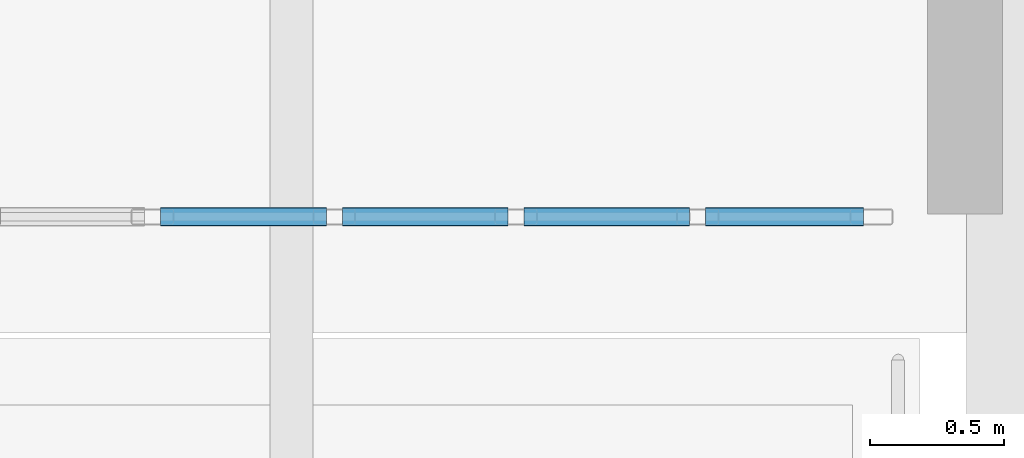
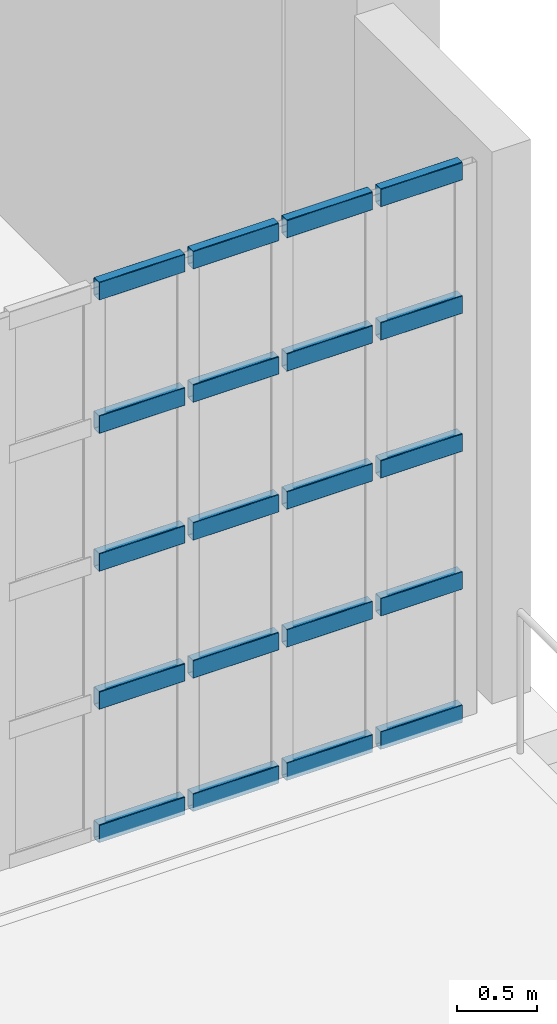
# One storey, part 33 of 56: 20 members, 1 element without a shape of its own.
"""IFC4 building model written with IfcOpenShell, lengths in metres."""

from ifc_helpers import new_model, si_unit, direction, frame, origin, origin_2d, place, context, subcontext, project, spatial, hollow_rectangle, extrude, material, material_profile, profile_set, type_object, element, aggregate, save


model = new_model("IFC4")

# Units and contexts
model_context = context("Model", 3, precision=1e-05, world=origin(), true_north=direction((0.0, 1.0)))
body_context = subcontext(model_context, "Body", "Model", "MODEL_VIEW")
ifc_project = project(units=[si_unit("LENGTHUNIT", "METRE"), si_unit("AREAUNIT", "SQUARE_METRE"), si_unit("VOLUMEUNIT", "CUBIC_METRE"), si_unit("PLANEANGLEUNIT", "RADIAN"), si_unit("MASSUNIT", "GRAM", prefix="KILO")], contexts=[model_context])

# Site, building, storey
site_placement = place(None, origin())
site = spatial("IfcSite", under=ifc_project, at=site_placement, CompositionType="ELEMENT")
building_placement = place(site_placement, origin())
building = spatial("IfcBuilding", under=site, at=building_placement, Name="Kaelora Sail Theatre", CompositionType="ELEMENT")
storey_placement = place(building_placement, frame((0.0, 0.0, 14.699951171875)))
storey = spatial("IfcBuildingStorey", under=building, at=storey_placement, Name="L03", CompositionType="ELEMENT", Elevation=14.699951171875)

# Curtain wall, members
ifc_material_1 = material(Name="Anodised aluminium and solar-control low-E IGU", Category="aluminium")
curtain_wall_type = type_object("IfcCurtainWallType", Name="ARC-CW-CW-NWG", PredefinedType="NOTDEFINED", material=ifc_material_1)
curtain_wall_placement = place(storey_placement, origin())
curtain_wall = element("IfcCurtainWall", 1, at=curtain_wall_placement, inside=storey, type_object=curtain_wall_type, Name="Glazed Foyer/Conservatory Curtain Wall NW4-S-L03-07", PredefinedType="NOTDEFINED")
ifc_material_2 = material(Name="Anodised aluminium 6063-T6", Category="aluminium")
ifc_material_profile = material_profile(ifc_material_2, hollow_rectangle(XDim=0.070068359375, YDim=0.139892578125, WallThickness=0.00390625, InnerFilletRadius=0.00390625, OuterFilletRadius=0.008056640625, at=origin_2d()), Name="ALU-TRAN 70x140x4")
ifc_profile_set = profile_set([ifc_material_profile], Name="Anodised aluminium 6063-T6")
member_type = type_object("IfcMemberType", Name="ARC-MEM-TR-140", PredefinedType="USERDEFINED", material=ifc_profile_set)
member_1_placement = place(storey_placement, frame((127.909912109375, 88.590087890625, 0.03515625), z_axis=(1.0, 0.0, 0.0), x_axis=(0.0, 1.0, 0.0)))
member_1 = element("IfcMember", 2, at=member_1_placement, type_object=member_type, Name="CW-NWG transom 2.1", ObjectType="TRANSOM", PredefinedType="USERDEFINED", context=body_context, shape_type="SweptSolid", body=[
    extrude(hollow_rectangle(XDim=0.070068359375, YDim=0.139892578125, WallThickness=0.00390625, InnerFilletRadius=0.00390625, OuterFilletRadius=0.008056640625, at=origin_2d()), origin(), (0.0, 0.0, 1.0), 0.6201171875),
])
member_2_placement = place(storey_placement, frame((127.909912109375, 88.590087890625, 1.05615234375), z_axis=(1.0, 0.0, 0.0), x_axis=(0.0, 1.0, 0.0)))
member_2 = element("IfcMember", 3, at=member_2_placement, type_object=member_type, Name="CW-NWG transom 2.2", ObjectType="TRANSOM", PredefinedType="USERDEFINED", context=body_context, shape_type="SweptSolid", body=[
    extrude(hollow_rectangle(XDim=0.070068359375, YDim=0.139892578125, WallThickness=0.00390625, InnerFilletRadius=0.00390625, OuterFilletRadius=0.008056640625, at=origin_2d()), origin(), (0.0, 0.0, 1.0), 0.6201171875),
])
member_3_placement = place(storey_placement, frame((127.909912109375, 88.590087890625, 2.112548828125), z_axis=(1.0, 0.0, 0.0), x_axis=(0.0, 1.0, 0.0)))
member_3 = element("IfcMember", 4, at=member_3_placement, type_object=member_type, Name="CW-NWG transom 2.3", ObjectType="TRANSOM", PredefinedType="USERDEFINED", context=body_context, shape_type="SweptSolid", body=[
    extrude(hollow_rectangle(XDim=0.070068359375, YDim=0.139892578125, WallThickness=0.00390625, InnerFilletRadius=0.00390625, OuterFilletRadius=0.008056640625, at=origin_2d()), origin(), (0.0, 0.0, 1.0), 0.6201171875),
])
member_4_placement = place(storey_placement, frame((127.909912109375, 88.590087890625, 3.168701171875), z_axis=(1.0, 0.0, 0.0), x_axis=(0.0, 1.0, 0.0)))
member_4 = element("IfcMember", 5, at=member_4_placement, type_object=member_type, Name="CW-NWG transom 2.4", ObjectType="TRANSOM", PredefinedType="USERDEFINED", context=body_context, shape_type="SweptSolid", body=[
    extrude(hollow_rectangle(XDim=0.070068359375, YDim=0.139892578125, WallThickness=0.00390625, InnerFilletRadius=0.00390625, OuterFilletRadius=0.008056640625, at=origin_2d()), origin(), (0.0, 0.0, 1.0), 0.6201171875),
])
member_5_placement = place(storey_placement, frame((127.909912109375, 88.590087890625, 4.18994140625), z_axis=(1.0, 0.0, 0.0), x_axis=(0.0, 1.0, 0.0)))
member_5 = element("IfcMember", 6, at=member_5_placement, type_object=member_type, Name="CW-NWG transom 2.5", ObjectType="TRANSOM", PredefinedType="USERDEFINED", context=body_context, shape_type="SweptSolid", body=[
    extrude(hollow_rectangle(XDim=0.070068359375, YDim=0.139892578125, WallThickness=0.00390625, InnerFilletRadius=0.00390625, OuterFilletRadius=0.008056640625, at=origin_2d()), origin(), (0.0, 0.0, 1.0), 0.6201171875),
])
member_6_placement = place(storey_placement, frame((128.590087890625, 88.590087890625, 0.03515625), z_axis=(1.0, 0.0, 0.0), x_axis=(0.0, 1.0, 0.0)))
member_6 = element("IfcMember", 7, at=member_6_placement, type_object=member_type, Name="CW-NWG transom 3.1", ObjectType="TRANSOM", PredefinedType="USERDEFINED", context=body_context, shape_type="SweptSolid", body=[
    extrude(hollow_rectangle(XDim=0.070068359375, YDim=0.139892578125, WallThickness=0.00390625, InnerFilletRadius=0.00390625, OuterFilletRadius=0.008056640625, at=origin_2d()), origin(), (0.0, 0.0, 1.0), 0.619873046875),
])
member_7_placement = place(storey_placement, frame((128.590087890625, 88.590087890625, 1.05615234375), z_axis=(1.0, 0.0, 0.0), x_axis=(0.0, 1.0, 0.0)))
member_7 = element("IfcMember", 8, at=member_7_placement, type_object=member_type, Name="CW-NWG transom 3.2", ObjectType="TRANSOM", PredefinedType="USERDEFINED", context=body_context, shape_type="SweptSolid", body=[
    extrude(hollow_rectangle(XDim=0.070068359375, YDim=0.139892578125, WallThickness=0.00390625, InnerFilletRadius=0.00390625, OuterFilletRadius=0.008056640625, at=origin_2d()), origin(), (0.0, 0.0, 1.0), 0.619873046875),
])
member_8_placement = place(storey_placement, frame((128.590087890625, 88.590087890625, 2.112548828125), z_axis=(1.0, 0.0, 0.0), x_axis=(0.0, 1.0, 0.0)))
member_8 = element("IfcMember", 9, at=member_8_placement, type_object=member_type, Name="CW-NWG transom 3.3", ObjectType="TRANSOM", PredefinedType="USERDEFINED", context=body_context, shape_type="SweptSolid", body=[
    extrude(hollow_rectangle(XDim=0.070068359375, YDim=0.139892578125, WallThickness=0.00390625, InnerFilletRadius=0.00390625, OuterFilletRadius=0.008056640625, at=origin_2d()), origin(), (0.0, 0.0, 1.0), 0.619873046875),
])
member_9_placement = place(storey_placement, frame((128.590087890625, 88.590087890625, 3.168701171875), z_axis=(1.0, 0.0, 0.0), x_axis=(0.0, 1.0, 0.0)))
member_9 = element("IfcMember", 10, at=member_9_placement, type_object=member_type, Name="CW-NWG transom 3.4", ObjectType="TRANSOM", PredefinedType="USERDEFINED", context=body_context, shape_type="SweptSolid", body=[
    extrude(hollow_rectangle(XDim=0.070068359375, YDim=0.139892578125, WallThickness=0.00390625, InnerFilletRadius=0.00390625, OuterFilletRadius=0.008056640625, at=origin_2d()), origin(), (0.0, 0.0, 1.0), 0.619873046875),
])
member_10_placement = place(storey_placement, frame((128.590087890625, 88.590087890625, 4.18994140625), z_axis=(1.0, 0.0, 0.0), x_axis=(0.0, 1.0, 0.0)))
member_10 = element("IfcMember", 11, at=member_10_placement, type_object=member_type, Name="CW-NWG transom 3.5", ObjectType="TRANSOM", PredefinedType="USERDEFINED", context=body_context, shape_type="SweptSolid", body=[
    extrude(hollow_rectangle(XDim=0.070068359375, YDim=0.139892578125, WallThickness=0.00390625, InnerFilletRadius=0.00390625, OuterFilletRadius=0.008056640625, at=origin_2d()), origin(), (0.0, 0.0, 1.0), 0.619873046875),
])
member_11_placement = place(storey_placement, frame((129.27001953125, 88.590087890625, 0.03515625), z_axis=(1.0, 0.0, 0.0), x_axis=(0.0, 1.0, 0.0)))
member_11 = element("IfcMember", 12, at=member_11_placement, type_object=member_type, Name="CW-NWG transom 4.1", ObjectType="TRANSOM", PredefinedType="USERDEFINED", context=body_context, shape_type="SweptSolid", body=[
    extrude(hollow_rectangle(XDim=0.070068359375, YDim=0.139892578125, WallThickness=0.00390625, InnerFilletRadius=0.00390625, OuterFilletRadius=0.008056640625, at=origin_2d()), origin(), (0.0, 0.0, 1.0), 0.619873046875),
])
member_12_placement = place(storey_placement, frame((129.27001953125, 88.590087890625, 1.05615234375), z_axis=(1.0, 0.0, 0.0), x_axis=(0.0, 1.0, 0.0)))
member_12 = element("IfcMember", 13, at=member_12_placement, type_object=member_type, Name="CW-NWG transom 4.2", ObjectType="TRANSOM", PredefinedType="USERDEFINED", context=body_context, shape_type="SweptSolid", body=[
    extrude(hollow_rectangle(XDim=0.070068359375, YDim=0.139892578125, WallThickness=0.00390625, InnerFilletRadius=0.00390625, OuterFilletRadius=0.008056640625, at=origin_2d()), origin(), (0.0, 0.0, 1.0), 0.619873046875),
])
member_13_placement = place(storey_placement, frame((129.27001953125, 88.590087890625, 2.112548828125), z_axis=(1.0, 0.0, 0.0), x_axis=(0.0, 1.0, 0.0)))
member_13 = element("IfcMember", 14, at=member_13_placement, type_object=member_type, Name="CW-NWG transom 4.3", ObjectType="TRANSOM", PredefinedType="USERDEFINED", context=body_context, shape_type="SweptSolid", body=[
    extrude(hollow_rectangle(XDim=0.070068359375, YDim=0.139892578125, WallThickness=0.00390625, InnerFilletRadius=0.00390625, OuterFilletRadius=0.008056640625, at=origin_2d()), origin(), (0.0, 0.0, 1.0), 0.619873046875),
])
member_14_placement = place(storey_placement, frame((129.27001953125, 88.590087890625, 3.168701171875), z_axis=(1.0, 0.0, 0.0), x_axis=(0.0, 1.0, 0.0)))
member_14 = element("IfcMember", 15, at=member_14_placement, type_object=member_type, Name="CW-NWG transom 4.4", ObjectType="TRANSOM", PredefinedType="USERDEFINED", context=body_context, shape_type="SweptSolid", body=[
    extrude(hollow_rectangle(XDim=0.070068359375, YDim=0.139892578125, WallThickness=0.00390625, InnerFilletRadius=0.00390625, OuterFilletRadius=0.008056640625, at=origin_2d()), origin(), (0.0, 0.0, 1.0), 0.619873046875),
])
member_15_placement = place(storey_placement, frame((129.27001953125, 88.590087890625, 4.18994140625), z_axis=(1.0, 0.0, 0.0), x_axis=(0.0, 1.0, 0.0)))
member_15 = element("IfcMember", 16, at=member_15_placement, type_object=member_type, Name="CW-NWG transom 4.5", ObjectType="TRANSOM", PredefinedType="USERDEFINED", context=body_context, shape_type="SweptSolid", body=[
    extrude(hollow_rectangle(XDim=0.070068359375, YDim=0.139892578125, WallThickness=0.00390625, InnerFilletRadius=0.00390625, OuterFilletRadius=0.008056640625, at=origin_2d()), origin(), (0.0, 0.0, 1.0), 0.619873046875),
])
member_16_placement = place(storey_placement, frame((129.949951171875, 88.590087890625, 0.03515625), z_axis=(1.0, 0.0, 0.0), x_axis=(0.0, 1.0, 0.0)))
member_16 = element("IfcMember", 17, at=member_16_placement, type_object=member_type, Name="CW-NWG transom 5.1", ObjectType="TRANSOM", PredefinedType="USERDEFINED", context=body_context, shape_type="SweptSolid", body=[
    extrude(hollow_rectangle(XDim=0.070068359375, YDim=0.139892578125, WallThickness=0.00390625, InnerFilletRadius=0.00390625, OuterFilletRadius=0.008056640625, at=origin_2d()), origin(), (0.0, 0.0, 1.0), 0.590087890625),
])
member_17_placement = place(storey_placement, frame((129.949951171875, 88.590087890625, 1.05615234375), z_axis=(1.0, 0.0, 0.0), x_axis=(0.0, 1.0, 0.0)))
member_17 = element("IfcMember", 18, at=member_17_placement, type_object=member_type, Name="CW-NWG transom 5.2", ObjectType="TRANSOM", PredefinedType="USERDEFINED", context=body_context, shape_type="SweptSolid", body=[
    extrude(hollow_rectangle(XDim=0.070068359375, YDim=0.139892578125, WallThickness=0.00390625, InnerFilletRadius=0.00390625, OuterFilletRadius=0.008056640625, at=origin_2d()), origin(), (0.0, 0.0, 1.0), 0.590087890625),
])
member_18_placement = place(storey_placement, frame((129.949951171875, 88.590087890625, 2.112548828125), z_axis=(1.0, 0.0, 0.0), x_axis=(0.0, 1.0, 0.0)))
member_18 = element("IfcMember", 19, at=member_18_placement, type_object=member_type, Name="CW-NWG transom 5.3", ObjectType="TRANSOM", PredefinedType="USERDEFINED", context=body_context, shape_type="SweptSolid", body=[
    extrude(hollow_rectangle(XDim=0.070068359375, YDim=0.139892578125, WallThickness=0.00390625, InnerFilletRadius=0.00390625, OuterFilletRadius=0.008056640625, at=origin_2d()), origin(), (0.0, 0.0, 1.0), 0.590087890625),
])
member_19_placement = place(storey_placement, frame((129.949951171875, 88.590087890625, 3.168701171875), z_axis=(1.0, 0.0, 0.0), x_axis=(0.0, 1.0, 0.0)))
member_19 = element("IfcMember", 20, at=member_19_placement, type_object=member_type, Name="CW-NWG transom 5.4", ObjectType="TRANSOM", PredefinedType="USERDEFINED", context=body_context, shape_type="SweptSolid", body=[
    extrude(hollow_rectangle(XDim=0.070068359375, YDim=0.139892578125, WallThickness=0.00390625, InnerFilletRadius=0.00390625, OuterFilletRadius=0.008056640625, at=origin_2d()), origin(), (0.0, 0.0, 1.0), 0.590087890625),
])
member_20_placement = place(storey_placement, frame((129.949951171875, 88.590087890625, 4.18994140625), z_axis=(1.0, 0.0, 0.0), x_axis=(0.0, 1.0, 0.0)))
member_20 = element("IfcMember", 21, at=member_20_placement, type_object=member_type, Name="CW-NWG transom 5.5", ObjectType="TRANSOM", PredefinedType="USERDEFINED", context=body_context, shape_type="SweptSolid", body=[
    extrude(hollow_rectangle(XDim=0.070068359375, YDim=0.139892578125, WallThickness=0.00390625, InnerFilletRadius=0.00390625, OuterFilletRadius=0.008056640625, at=origin_2d()), origin(), (0.0, 0.0, 1.0), 0.590087890625),
])
aggregate(curtain_wall, [member_1, member_2, member_3, member_4, member_5, member_6, member_7, member_8, member_9, member_10, member_11, member_12, member_13, member_14, member_15, member_16, member_17, member_18, member_19, member_20])

save(model, "model.ifc")
